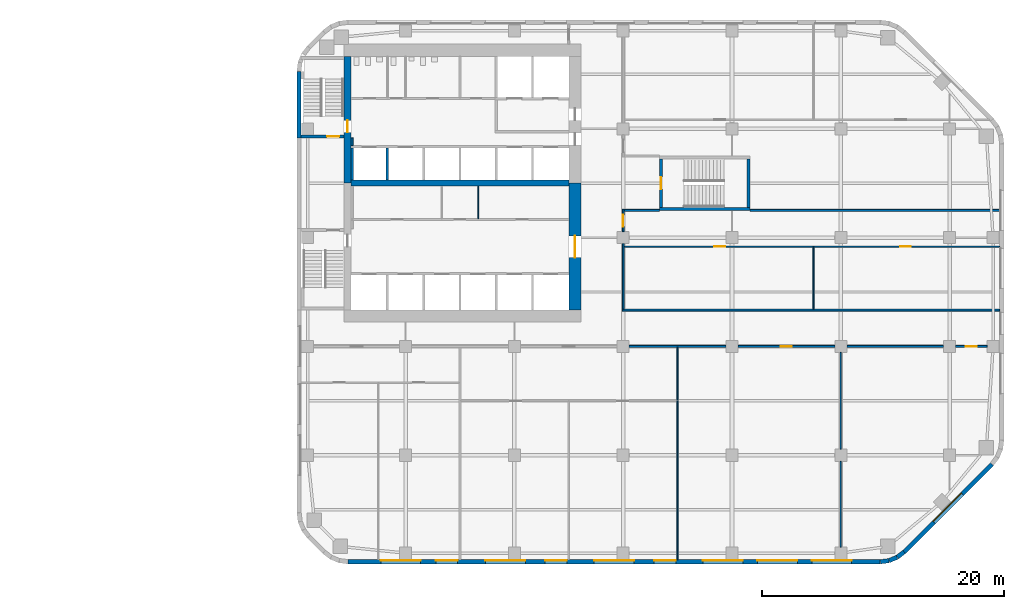
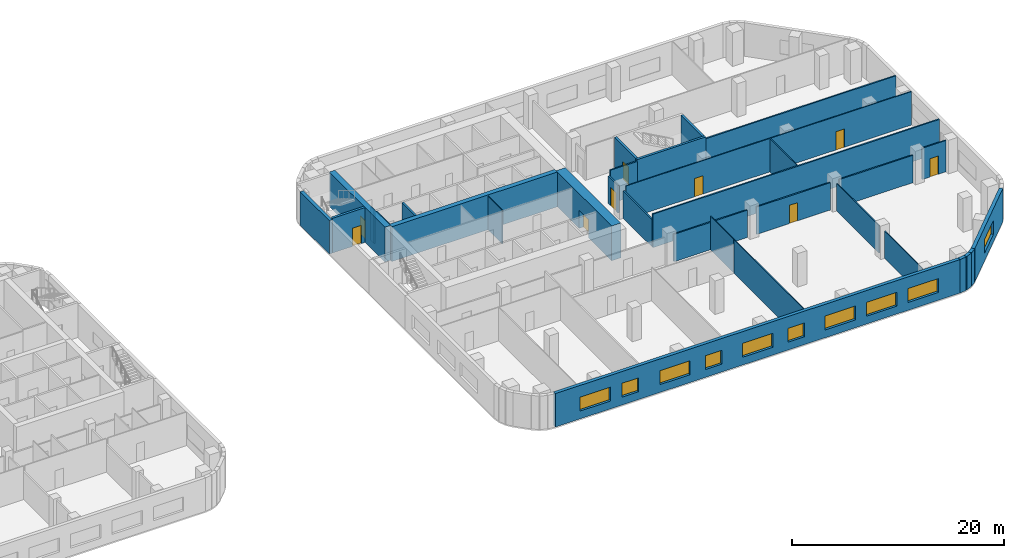
# One storey, part 10 of 16: 32 walls, 10 windows, 9 doors, 19 openings.
"""IFC4 building model written with IfcOpenShell, lengths in metres."""

import ifcopenshell
import ifcopenshell.guid

model = None  # the IFC model being written
_history = None  # IfcOwnerHistory: only IFC2X3 demands one
_inside = {}  # id of a spatial element -> (the spatial element, [elements in it])
_under = {}  # id of a project, library or spatial element -> (it, [spatial elements below it])
_declared = {}  # id of a project -> (the project, [libraries it declares])
_typed = {}  # id of a type object -> (the type object, [elements of that type])
_made_of = {}  # id of a material, layer set ... -> (it, [elements and type objects made of it])


def new_model(schema):
    """Start an empty IFC model of exactly this schema.

    Asked for "IFC4X3", IfcOpenShell would pick the latest addendum, in which some entities
    have other attributes; the version numbers below select the first issue.
    IFC2X3 requires an IfcOwnerHistory on every rooted entity: one is made here for all.
    """
    global model, _history
    if schema == "IFC4X3":
        model = ifcopenshell.file(schema_version=(4, 3, 0, 0))
    else:
        model = ifcopenshell.file(schema=schema)
    _inside.clear()
    _under.clear()
    _declared.clear()
    _typed.clear()
    _made_of.clear()
    _history = None
    if model.schema == "IFC2X3":
        org = make("IfcOrganization", Name="unknown")
        user = make(
            "IfcPersonAndOrganization",
            ThePerson=make("IfcPerson", FamilyName="unknown"),
            TheOrganization=org,
        )
        app = make(
            "IfcApplication",
            ApplicationDeveloper=org,
            Version="unknown",
            ApplicationFullName="unknown",
            ApplicationIdentifier="unknown",
        )
        _history = make(
            "IfcOwnerHistory",
            OwningUser=user,
            OwningApplication=app,
            ChangeAction="ADDED",
            CreationDate=0,
        )
    return model


def make(cls, **values):
    """One entity of the class cls with the attributes given. An attribute that is None is left unset."""
    return model.create_entity(
        cls, **{name: value for name, value in values.items() if value is not None}
    )


def rooted(cls, **values):
    """An entity with a GlobalId (a new one), such as an element, a storey or a relation."""
    return make(cls, GlobalId=ifcopenshell.guid.new(), OwnerHistory=_history, **values)


def si_unit(unit_type, name, prefix=None):
    """IfcSIUnit, for example si_unit("LENGTHUNIT", "METRE", prefix="MILLI")."""
    return make("IfcSIUnit", UnitType=unit_type, Prefix=prefix, Name=name)


def assignment(units):
    """IfcUnitAssignment: the units of a project."""
    return None if units is None else make("IfcUnitAssignment", Units=units)


def point(xyz):
    """IfcCartesianPoint."""
    return None if xyz is None else make("IfcCartesianPoint", Coordinates=xyz)


def direction(xyz):
    """IfcDirection."""
    return None if xyz is None else make("IfcDirection", DirectionRatios=xyz)


def frame(location, z_axis=None, x_axis=None):
    """IfcAxis2Placement3D, a coordinate frame: its origin and axes. An axis left out is left unset."""
    return make(
        "IfcAxis2Placement3D",
        Location=point(location),
        Axis=direction(z_axis),
        RefDirection=direction(x_axis),
    )


def frame_2d(location, x_axis=None):
    """IfcAxis2Placement2D, a coordinate frame in the plane: its origin and x axis."""
    return make(
        "IfcAxis2Placement2D", Location=point(location), RefDirection=direction(x_axis)
    )


def origin():
    """The frame at (0, 0, 0) with its axes left unset."""
    return frame((0.0, 0.0, 0.0))


def place(relative_to, where):
    """IfcLocalPlacement: puts the frame where relative to a parent placement (None: the world)."""
    return make(
        "IfcLocalPlacement", PlacementRelTo=relative_to, RelativePlacement=where
    )


def context(
    kind, dimensions, precision=None, world=None, true_north=None, identifier=None
):
    """IfcGeometricRepresentationContext, for example the 3D "Model" context."""
    return make(
        "IfcGeometricRepresentationContext",
        ContextIdentifier=identifier,
        ContextType=kind,
        CoordinateSpaceDimension=dimensions,
        Precision=precision,
        WorldCoordinateSystem=world,
        TrueNorth=true_north,
    )


def subcontext(parent, identifier, kind, view, scale=None):
    """IfcGeometricRepresentationSubContext, for example "Body" below "Model"."""
    return make(
        "IfcGeometricRepresentationSubContext",
        ContextIdentifier=identifier,
        ContextType=kind,
        ParentContext=parent,
        TargetScale=scale,
        TargetView=view,
    )


def project(units=None, contexts=None):
    """IfcProject with its units and contexts."""
    return rooted(
        "IfcProject",
        Name="project",
        RepresentationContexts=contexts,
        UnitsInContext=assignment(units),
    )


def spatial(cls, under=None, at=None, **own):
    """A site, building, storey or space (cls), placed at a placement, below another one or the project."""
    s = rooted(cls, ObjectPlacement=at, **own)
    if under is not None:
        _under.setdefault(under.id(), (under, []))[1].append(s)
    return s


def profile(cls, at=None, kind="AREA", **sizes):
    """A parametric profile (cls). Its sizes go by their IFC names, for example OverallWidth=200.0."""
    return make(cls, ProfileType=kind, Position=at, **sizes)


def rectangle(**sizes):
    """IfcRectangleProfileDef."""
    return profile("IfcRectangleProfileDef", **sizes)


def extrude(swept, where, along, depth):
    """IfcExtrudedAreaSolid: the profile swept, set in the frame where, extruded along a direction by depth."""
    return make(
        "IfcExtrudedAreaSolid",
        SweptArea=swept,
        Position=where,
        ExtrudedDirection=direction(along),
        Depth=depth,
    )


def shape(context_of_items, identifier, shape_type, items):
    """IfcShapeRepresentation: the items that make up one representation, for example the "Body"."""
    return make(
        "IfcShapeRepresentation",
        ContextOfItems=context_of_items,
        RepresentationIdentifier=identifier,
        RepresentationType=shape_type,
        Items=items,
    )


def material(Name=None, Category=None):
    """IfcMaterial."""
    return make("IfcMaterial", Name=Name, Category=Category)


def layer(
    of_material, thickness, ventilated=None, Name=None, Category=None, Priority=None
):
    """IfcMaterialLayer: one layer of a wall or slab, of a material (None: an air gap)."""
    return make(
        "IfcMaterialLayer",
        Material=of_material,
        LayerThickness=thickness,
        IsVentilated=ventilated,
        Name=Name,
        Category=Category,
        Priority=Priority,
    )


def layer_set(layers, Name=None):
    """IfcMaterialLayerSet."""
    return make("IfcMaterialLayerSet", MaterialLayers=layers, LayerSetName=Name)


def made_of(thing, what):
    """Note that an element or type object is made of a material, layer set ...; save() writes the relation."""
    if what is not None:
        _made_of.setdefault(what.id(), (what, []))[1].append(thing)
    return thing


def type_object(cls, material=None, **own):
    """A type object (cls), such as IfcWallType, which elements share."""
    return made_of(rooted(cls, **own), material)


def element(
    cls,
    number,
    at=None,
    inside=None,
    cuts=None,
    type_object=None,
    material=None,
    context=None,
    identifier="Body",
    shape_type=None,
    held_by="IfcProductDefinitionShape",
    body=None,
    shapes=None,
    **own,
):
    """One element of the class cls, such as IfcWall. Its Tag is "e" and its number.

    at: its placement. inside: the storey or other place that contains it. cuts: it is an
    opening in that element (IfcRelVoidsElement). A single representation is given by context,
    identifier, shape_type and body (its items); several are given by shapes. held_by: the class
    of the entity that holds the representations. save() writes the other relations.
    """
    e = rooted(cls, Tag="e%d" % number, ObjectPlacement=at, **own)
    if body is not None:
        shapes = [shape(context, identifier, shape_type, body)]
    if shapes is not None:
        e.Representation = make(held_by, Representations=shapes)
    if inside is not None:
        _inside.setdefault(inside.id(), (inside, []))[1].append(e)
    if cuts is not None:
        rooted(
            "IfcRelVoidsElement", RelatingBuildingElement=cuts, RelatedOpeningElement=e
        )
    if type_object is not None:
        _typed.setdefault(type_object.id(), (type_object, []))[1].append(e)
    return made_of(e, material)


def fill(opening, filler):
    """IfcRelFillsElement: the door or window that sits in an opening."""
    return rooted(
        "IfcRelFillsElement",
        RelatingOpeningElement=opening,
        RelatedBuildingElement=filler,
    )


def aggregate(whole, parts):
    """IfcRelAggregates: a whole, such as a stair, and the parts it consists of."""
    return rooted("IfcRelAggregates", RelatingObject=whole, RelatedObjects=parts)


def save(model, path):
    """Write the relations noted so far, then the file.

    IfcRelAggregates (storeys below a building ...), IfcRelContainedInSpatialStructure (elements
    in a storey), IfcRelDefinesByType, IfcRelAssociatesMaterial and IfcRelDeclares: one each for
    every whole, place, type object, material and project.
    """
    for whole, parts in _under.values():
        aggregate(whole, parts)
    for where, things in _inside.values():
        rooted(
            "IfcRelContainedInSpatialStructure",
            RelatedElements=things,
            RelatingStructure=where,
        )
    for kind, things in _typed.values():
        rooted("IfcRelDefinesByType", RelatedObjects=things, RelatingType=kind)
    for what, things in _made_of.values():
        rooted("IfcRelAssociatesMaterial", RelatedObjects=things, RelatingMaterial=what)
    for by, libraries in _declared.values():
        rooted("IfcRelDeclares", RelatingContext=by, RelatedDefinitions=libraries)
    model.write(path)


model = new_model("IFC4")

# Units and contexts
model_context = context("Model", 3, precision=1e-05, world=origin(), true_north=direction((0.0, 1.0)))
body_context = subcontext(model_context, "Body", "Model", "MODEL_VIEW")
ifc_project = project(units=[si_unit("LENGTHUNIT", "METRE"), si_unit("AREAUNIT", "SQUARE_METRE"), si_unit("VOLUMEUNIT", "CUBIC_METRE"), si_unit("PLANEANGLEUNIT", "RADIAN"), si_unit("MASSUNIT", "GRAM", prefix="KILO")], contexts=[model_context])

# Site, building, storey
site_placement = place(None, origin())
site = spatial("IfcSite", under=ifc_project, at=site_placement, CompositionType="ELEMENT")
building_placement = place(site_placement, origin())
building = spatial("IfcBuilding", under=site, at=building_placement, Name="Cinnabar Reach Civic Tower", CompositionType="ELEMENT")
storey_placement = place(building_placement, frame((0.0, 0.0, 30.0)))
storey = spatial("IfcBuildingStorey", under=building, at=storey_placement, Name="L06", CompositionType="ELEMENT", Elevation=30.0)

# Walls
ifc_material_1 = material(Name="Facing brick with insulated backing", Category="masonry")
ifc_layer_1 = layer(ifc_material_1, 0.36)
ifc_layer_set_1 = layer_set([ifc_layer_1], Name="Brick corner wall")
wall_type_1 = type_object("IfcWallType", Name="Brick corner wall", PredefinedType="STANDARD", material=ifc_layer_set_1)
for number, where, z_axis, x_axis, name in (
    (1, (48.2686, 0.183, 0.0), (0.0, 0.0, 1.0), (0.99144092581, 0.13055608231, 0.0), "Brick corner wall"),
    (2, (48.9973, 0.2819, 0.0), (0.0, 0.0, 1.0), (0.923871547278, 0.382702709855, 0.0), "Brick corner wall"),
):
    element("IfcWall", number, at=place(storey_placement, frame(where, z_axis=z_axis, x_axis=x_axis)), inside=storey, type_object=wall_type_1, Name=name, PredefinedType="STANDARD", context=body_context, shape_type="SweptSolid", body=[
        extrude(rectangle(XDim=0.7131, YDim=0.36, at=frame_2d((0.3565, 0.0))), origin(), (0.0, 0.0, 1.0), 3.85),
    ])
wall_1_placement = place(storey_placement, frame((49.6755, 0.566, 0.0), z_axis=(0.0, 0.0, 1.0), x_axis=(0.793321924995, 0.608802368033, 0.0)))
element("IfcWall", 3, at=wall_1_placement, inside=storey, type_object=wall_type_1, Name="Brick corner wall", PredefinedType="STANDARD", context=body_context, shape_type="SweptSolid", body=[
    extrude(rectangle(XDim=0.7132, YDim=0.36, at=frame_2d((0.3566, 0.0))), origin(), (0.0, 0.0, 1.0), 3.85),
])

# Wall, openings, windows
ifc_layer_2 = layer(ifc_material_1, 0.36)
ifc_layer_set_2 = layer_set([ifc_layer_2], Name="Brick pier and spandrel wall")
wall_type_2 = type_object("IfcWallType", Name="Brick pier and spandrel wall", PredefinedType="STANDARD", material=ifc_layer_set_2)
wall_2_placement = place(storey_placement, frame((4.2426, 0.18, 0.0), z_axis=(0.0, 0.0, 1.0), x_axis=(1.0, 0.0, 0.0)))
wall_2 = element("IfcWall", 4, at=wall_2_placement, inside=storey, type_object=wall_type_2, Name="Brick facade wall", PredefinedType="STANDARD", context=body_context, shape_type="SweptSolid", body=[
    extrude(rectangle(XDim=44.0148, YDim=0.36, at=frame_2d((22.0074, 0.0))), origin(), (0.0, 0.0, 1.0), 3.85),
])
opening_1_placement = place(wall_2_placement, frame((2.7074, 0.0, 0.9)))
opening_1 = element("IfcOpeningElement", 5, at=opening_1_placement, cuts=wall_2, Name="Opening W1024", PredefinedType="OPENING", context=body_context, shape_type="SweptSolid", body=[
    extrude(rectangle(XDim=3.3, YDim=1.6, at=frame_2d((1.65, 0.8))), frame((0.0, 0.19, 0.0), z_axis=(0.0, -1.0, 0.0), x_axis=(1.0, 0.0, 0.0)), (0.0, 0.0, 1.0), 0.38),
])
opening_2_placement = place(wall_2_placement, frame((7.2574, 0.0, 0.9)))
opening_2 = element("IfcOpeningElement", 6, at=opening_2_placement, cuts=wall_2, Name="Opening W1025", PredefinedType="OPENING", context=body_context, shape_type="SweptSolid", body=[
    extrude(rectangle(XDim=1.8, YDim=1.6, at=frame_2d((0.9, 0.8))), frame((0.0, 0.19, 0.0), z_axis=(0.0, -1.0, 0.0), x_axis=(1.0, 0.0, 0.0)), (0.0, 0.0, 1.0), 0.38),
])
opening_3_placement = place(wall_2_placement, frame((11.3574, 0.0, 0.9)))
opening_3 = element("IfcOpeningElement", 7, at=opening_3_placement, cuts=wall_2, Name="Opening W1026", PredefinedType="OPENING", context=body_context, shape_type="SweptSolid", body=[
    extrude(rectangle(XDim=3.3, YDim=1.6, at=frame_2d((1.65, 0.8))), frame((0.0, 0.19, 0.0), z_axis=(0.0, -1.0, 0.0), x_axis=(1.0, 0.0, 0.0)), (0.0, 0.0, 1.0), 0.38),
])
opening_4_placement = place(wall_2_placement, frame((16.3074, 0.0, 0.9)))
opening_4 = element("IfcOpeningElement", 8, at=opening_4_placement, cuts=wall_2, Name="Opening W1027", PredefinedType="OPENING", context=body_context, shape_type="SweptSolid", body=[
    extrude(rectangle(XDim=1.8, YDim=1.6, at=frame_2d((0.9, 0.8))), frame((0.0, 0.19, 0.0), z_axis=(0.0, -1.0, 0.0), x_axis=(1.0, 0.0, 0.0)), (0.0, 0.0, 1.0), 0.38),
])
opening_5_placement = place(wall_2_placement, frame((20.3574, 0.0, 0.9)))
opening_5 = element("IfcOpeningElement", 9, at=opening_5_placement, cuts=wall_2, Name="Opening W1028", PredefinedType="OPENING", context=body_context, shape_type="SweptSolid", body=[
    extrude(rectangle(XDim=3.3, YDim=1.6, at=frame_2d((1.65, 0.8))), frame((0.0, 0.19, 0.0), z_axis=(0.0, -1.0, 0.0), x_axis=(1.0, 0.0, 0.0)), (0.0, 0.0, 1.0), 0.38),
])
opening_6_placement = place(wall_2_placement, frame((25.3074, 0.0, 0.9)))
opening_6 = element("IfcOpeningElement", 10, at=opening_6_placement, cuts=wall_2, Name="Opening W1029", PredefinedType="OPENING", context=body_context, shape_type="SweptSolid", body=[
    extrude(rectangle(XDim=1.8, YDim=1.6, at=frame_2d((0.9, 0.8))), frame((0.0, 0.19, 0.0), z_axis=(0.0, -1.0, 0.0), x_axis=(1.0, 0.0, 0.0)), (0.0, 0.0, 1.0), 0.38),
])
opening_7_placement = place(wall_2_placement, frame((29.3574, 0.0, 0.9)))
opening_7 = element("IfcOpeningElement", 11, at=opening_7_placement, cuts=wall_2, Name="Opening W1030", PredefinedType="OPENING", context=body_context, shape_type="SweptSolid", body=[
    extrude(rectangle(XDim=3.3, YDim=1.6, at=frame_2d((1.65, 0.8))), frame((0.0, 0.19, 0.0), z_axis=(0.0, -1.0, 0.0), x_axis=(1.0, 0.0, 0.0)), (0.0, 0.0, 1.0), 0.38),
])
opening_8_placement = place(wall_2_placement, frame((33.8574, 0.0, 0.9)))
opening_8 = element("IfcOpeningElement", 12, at=opening_8_placement, cuts=wall_2, Name="Opening W1031", PredefinedType="OPENING", context=body_context, shape_type="SweptSolid", body=[
    extrude(rectangle(XDim=3.3, YDim=1.6, at=frame_2d((1.65, 0.8))), frame((0.0, 0.19, 0.0), z_axis=(0.0, -1.0, 0.0), x_axis=(1.0, 0.0, 0.0)), (0.0, 0.0, 1.0), 0.38),
])
opening_9_placement = place(wall_2_placement, frame((38.3574, 0.0, 0.9)))
opening_9 = element("IfcOpeningElement", 13, at=opening_9_placement, cuts=wall_2, Name="Opening W1032", PredefinedType="OPENING", context=body_context, shape_type="SweptSolid", body=[
    extrude(rectangle(XDim=3.3, YDim=1.6, at=frame_2d((1.65, 0.8))), frame((0.0, 0.19, 0.0), z_axis=(0.0, -1.0, 0.0), x_axis=(1.0, 0.0, 0.0)), (0.0, 0.0, 1.0), 0.38),
])
ifc_material_2 = material(Name="Clear double glazing in aluminium frame", Category="aluminium")
window_type_1 = type_object("IfcWindowType", Name="Deep-set window A", PartitioningType="SINGLE_PANEL", PredefinedType="WINDOW", material=ifc_material_2)
window_1_placement = place(opening_1_placement, origin())
window_1 = element("IfcWindow", 14, at=window_1_placement, inside=storey, type_object=window_type_1, Name="Window south face", OverallHeight=1.6, OverallWidth=3.3, PartitioningType="SINGLE_PANEL", PredefinedType="WINDOW", context=body_context, shape_type="SweptSolid", body=[
    extrude(rectangle(XDim=3.3, YDim=1.6, at=frame_2d((1.65, 0.8))), frame((0.0, 0.13, 0.0), z_axis=(0.0, -1.0, 0.0), x_axis=(1.0, 0.0, 0.0)), (0.0, 0.0, 1.0), 0.06),
])
fill(opening_1, window_1)
window_2_placement = place(opening_3_placement, origin())
window_2 = element("IfcWindow", 15, at=window_2_placement, inside=storey, type_object=window_type_1, Name="Window south face", OverallHeight=1.6, OverallWidth=3.3, PartitioningType="SINGLE_PANEL", PredefinedType="WINDOW", context=body_context, shape_type="SweptSolid", body=[
    extrude(rectangle(XDim=3.3, YDim=1.6, at=frame_2d((1.65, 0.8))), frame((0.0, 0.13, 0.0), z_axis=(0.0, -1.0, 0.0), x_axis=(1.0, 0.0, 0.0)), (0.0, 0.0, 1.0), 0.06),
])
fill(opening_3, window_2)
window_3_placement = place(opening_5_placement, origin())
window_3 = element("IfcWindow", 16, at=window_3_placement, inside=storey, type_object=window_type_1, Name="Window south face", OverallHeight=1.6, OverallWidth=3.3, PartitioningType="SINGLE_PANEL", PredefinedType="WINDOW", context=body_context, shape_type="SweptSolid", body=[
    extrude(rectangle(XDim=3.3, YDim=1.6, at=frame_2d((1.65, 0.8))), frame((0.0, 0.13, 0.0), z_axis=(0.0, -1.0, 0.0), x_axis=(1.0, 0.0, 0.0)), (0.0, 0.0, 1.0), 0.06),
])
fill(opening_5, window_3)
window_4_placement = place(opening_7_placement, origin())
window_4 = element("IfcWindow", 17, at=window_4_placement, inside=storey, type_object=window_type_1, Name="Window south face", OverallHeight=1.6, OverallWidth=3.3, PartitioningType="SINGLE_PANEL", PredefinedType="WINDOW", context=body_context, shape_type="SweptSolid", body=[
    extrude(rectangle(XDim=3.3, YDim=1.6, at=frame_2d((1.65, 0.8))), frame((0.0, 0.13, 0.0), z_axis=(0.0, -1.0, 0.0), x_axis=(1.0, 0.0, 0.0)), (0.0, 0.0, 1.0), 0.06),
])
fill(opening_7, window_4)
window_5_placement = place(opening_8_placement, origin())
window_5 = element("IfcWindow", 18, at=window_5_placement, inside=storey, type_object=window_type_1, Name="Window south face", OverallHeight=1.6, OverallWidth=3.3, PartitioningType="SINGLE_PANEL", PredefinedType="WINDOW", context=body_context, shape_type="SweptSolid", body=[
    extrude(rectangle(XDim=3.3, YDim=1.6, at=frame_2d((1.65, 0.8))), frame((0.0, 0.13, 0.0), z_axis=(0.0, -1.0, 0.0), x_axis=(1.0, 0.0, 0.0)), (0.0, 0.0, 1.0), 0.06),
])
fill(opening_8, window_5)
window_6_placement = place(opening_9_placement, origin())
window_6 = element("IfcWindow", 19, at=window_6_placement, inside=storey, type_object=window_type_1, Name="Window south face", OverallHeight=1.6, OverallWidth=3.3, PartitioningType="SINGLE_PANEL", PredefinedType="WINDOW", context=body_context, shape_type="SweptSolid", body=[
    extrude(rectangle(XDim=3.3, YDim=1.6, at=frame_2d((1.65, 0.8))), frame((0.0, 0.13, 0.0), z_axis=(0.0, -1.0, 0.0), x_axis=(1.0, 0.0, 0.0)), (0.0, 0.0, 1.0), 0.06),
])
fill(opening_9, window_6)
window_type_2 = type_object("IfcWindowType", Name="Deep-set window D", PartitioningType="SINGLE_PANEL", PredefinedType="WINDOW", material=ifc_material_2)
window_7_placement = place(opening_2_placement, origin())
window_7 = element("IfcWindow", 20, at=window_7_placement, inside=storey, type_object=window_type_2, Name="Window south face", OverallHeight=1.6, OverallWidth=1.8, PartitioningType="SINGLE_PANEL", PredefinedType="WINDOW", context=body_context, shape_type="SweptSolid", body=[
    extrude(rectangle(XDim=1.8, YDim=1.6, at=frame_2d((0.9, 0.8))), frame((0.0, 0.13, 0.0), z_axis=(0.0, -1.0, 0.0), x_axis=(1.0, 0.0, 0.0)), (0.0, 0.0, 1.0), 0.06),
])
fill(opening_2, window_7)
window_8_placement = place(opening_4_placement, origin())
window_8 = element("IfcWindow", 21, at=window_8_placement, inside=storey, type_object=window_type_2, Name="Window south face", OverallHeight=1.6, OverallWidth=1.8, PartitioningType="SINGLE_PANEL", PredefinedType="WINDOW", context=body_context, shape_type="SweptSolid", body=[
    extrude(rectangle(XDim=1.8, YDim=1.6, at=frame_2d((0.9, 0.8))), frame((0.0, 0.13, 0.0), z_axis=(0.0, -1.0, 0.0), x_axis=(1.0, 0.0, 0.0)), (0.0, 0.0, 1.0), 0.06),
])
fill(opening_4, window_8)
window_9_placement = place(opening_6_placement, origin())
window_9 = element("IfcWindow", 22, at=window_9_placement, inside=storey, type_object=window_type_2, Name="Window south face", OverallHeight=1.6, OverallWidth=1.8, PartitioningType="SINGLE_PANEL", PredefinedType="WINDOW", context=body_context, shape_type="SweptSolid", body=[
    extrude(rectangle(XDim=1.8, YDim=1.6, at=frame_2d((0.9, 0.8))), frame((0.0, 0.13, 0.0), z_axis=(0.0, -1.0, 0.0), x_axis=(1.0, 0.0, 0.0)), (0.0, 0.0, 1.0), 0.06),
])
fill(opening_6, window_9)

# Wall, opening, window
wall_3_placement = place(storey_placement, frame((50.2514, 1.006, 0.0), z_axis=(0.0, 0.0, 1.0), x_axis=(0.707106781187, 0.707106781187, 0.0)))
wall_3 = element("IfcWall", 23, at=wall_3_placement, inside=storey, type_object=wall_type_2, Name="Brick facade wall", PredefinedType="STANDARD", context=body_context, shape_type="SweptSolid", body=[
    extrude(rectangle(XDim=10.2426, YDim=0.36, at=frame_2d((5.1213, 0.0))), origin(), (0.0, 0.0, 1.0), 3.85),
])
opening_10_placement = place(wall_3_placement, frame((3.4713, 0.0, 0.9)))
opening_10 = element("IfcOpeningElement", 24, at=opening_10_placement, cuts=wall_3, Name="Opening W1033", PredefinedType="OPENING", context=body_context, shape_type="SweptSolid", body=[
    extrude(rectangle(XDim=3.3, YDim=1.6, at=frame_2d((1.65, 0.8))), frame((0.0, 0.19, 0.0), z_axis=(0.0, -1.0, 0.0), x_axis=(1.0, 0.0, 0.0)), (0.0, 0.0, 1.0), 0.38),
])
window_10_placement = place(opening_10_placement, origin())
window_10 = element("IfcWindow", 25, at=window_10_placement, inside=storey, type_object=window_type_1, Name="Window southeast face", OverallHeight=1.6, OverallWidth=3.3, PartitioningType="SINGLE_PANEL", PredefinedType="WINDOW", context=body_context, shape_type="SweptSolid", body=[
    extrude(rectangle(XDim=3.3, YDim=1.6, at=frame_2d((1.65, 0.8))), frame((0.0, 0.13, 0.0), z_axis=(0.0, -1.0, 0.0), x_axis=(1.0, 0.0, 0.0)), (0.0, 0.0, 1.0), 0.06),
])
fill(opening_10, window_10)

# Wall
wall_4_placement = place(storey_placement, frame((0.18, 40.7574, 0.0), z_axis=(0.0, 0.0, 1.0), x_axis=(0.0, -1.0, 0.0)))
element("IfcWall", 26, at=wall_4_placement, inside=storey, type_object=wall_type_2, Name="Brick facade wall", PredefinedType="STANDARD", context=body_context, shape_type="SweptSolid", body=[
    extrude(rectangle(XDim=5.5074, YDim=0.36, at=frame_2d((2.7537, 0.0))), origin(), (0.0, 0.0, 1.0), 3.85),
])

# Wall, opening, door
ifc_material_3 = material(Name="Concrete C70", Category="concrete")
ifc_layer_3 = layer(ifc_material_3, 1.0)
ifc_layer_set_3 = layer_set([ifc_layer_3], Name="Core wall 1000 EI 180")
wall_type_3 = type_object("IfcWallType", Name="Core wall 1000 EI 180", PredefinedType="SOLIDWALL", material=ifc_layer_set_3)
wall_5_placement = place(storey_placement, frame((23.0, 21.0, 0.0), z_axis=(0.0, 0.0, 1.0), x_axis=(0.0, 1.0, 0.0)))
wall_5 = element("IfcWall", 27, at=wall_5_placement, inside=storey, type_object=wall_type_3, Name="Core wall T1 L06 E", PredefinedType="SOLIDWALL", context=body_context, shape_type="SweptSolid", body=[
    extrude(rectangle(XDim=10.5, YDim=1.0, at=frame_2d((5.25, 0.0))), origin(), (0.0, 0.0, 1.0), 4.0),
])
opening_11_placement = place(wall_5_placement, frame((4.35, 0.0, 0.0)))
opening_11 = element("IfcOpeningElement", 28, at=opening_11_placement, cuts=wall_5, Name="Opening D3247", PredefinedType="OPENING", context=body_context, shape_type="SweptSolid", body=[
    extrude(rectangle(XDim=1.8, YDim=2.1, at=frame_2d((0.9, 1.05))), frame((0.0, 0.51, 0.0), z_axis=(0.0, -1.0, 0.0), x_axis=(1.0, 0.0, 0.0)), (0.0, 0.0, 1.0), 1.02),
])
ifc_material_4 = material(Name="Timber door leaf in steel frame", Category="steel")
door_type_1 = type_object("IfcDoorType", Name="Double swing door 1800 x 2100 T1", OperationType="DOUBLE_DOOR_DOUBLE_SWING", PredefinedType="DOOR", material=ifc_material_4)
door_1_placement = place(opening_11_placement, origin())
door_1 = element("IfcDoor", 29, at=door_1_placement, inside=storey, type_object=door_type_1, Name="Door D3247", OperationType="DOUBLE_DOOR_DOUBLE_SWING", OverallHeight=2.1, OverallWidth=1.8, PredefinedType="DOOR", context=body_context, shape_type="SweptSolid", body=[
    extrude(rectangle(XDim=1.8, YDim=2.1, at=frame_2d((0.9, 1.05))), frame((0.0, 0.025, 0.0), z_axis=(0.0, -1.0, 0.0), x_axis=(1.0, 0.0, 0.0)), (0.0, 0.0, 1.0), 0.05),
])
fill(opening_11, door_1)

# Wall
ifc_material_5 = material(Name="Concrete C60", Category="concrete")
ifc_layer_4 = layer(ifc_material_5, 0.5)
ifc_layer_set_4 = layer_set([ifc_layer_4], Name="Core wall 500 EI 180")
wall_type_4 = type_object("IfcWallType", Name="Core wall 500 EI 180", PredefinedType="SOLIDWALL", material=ifc_layer_set_4)
wall_6_placement = place(storey_placement, frame((4.5, 31.5, 0.0), z_axis=(0.0, 0.0, 1.0), x_axis=(1.0, 0.0, 0.0)))
element("IfcWall", 30, at=wall_6_placement, inside=storey, type_object=wall_type_4, Name="Core spine wall T1 L06", PredefinedType="SOLIDWALL", context=body_context, shape_type="SweptSolid", body=[
    extrude(rectangle(XDim=18.0, YDim=0.5, at=frame_2d((9.0, 0.0))), origin(), (0.0, 0.0, 1.0), 4.0),
])

# Wall, opening, door
ifc_layer_5 = layer(ifc_material_3, 0.6)
ifc_layer_set_5 = layer_set([ifc_layer_5], Name="Core wall 600 EI 180")
wall_type_5 = type_object("IfcWallType", Name="Core wall 600 EI 180", PredefinedType="SOLIDWALL", material=ifc_layer_set_5)
wall_7_placement = place(storey_placement, frame((4.2, 42.0, 0.0), z_axis=(0.0, 0.0, 1.0), x_axis=(0.0, -1.0, 0.0)))
wall_7 = element("IfcWall", 31, at=wall_7_placement, inside=storey, type_object=wall_type_5, Name="Core wall T1 L06 W", PredefinedType="SOLIDWALL", context=body_context, shape_type="SweptSolid", body=[
    extrude(rectangle(XDim=10.5, YDim=0.6, at=frame_2d((5.25, 0.0))), origin(), (0.0, 0.0, 1.0), 4.0),
])
opening_12_placement = place(wall_7_placement, frame((5.3, 0.0, 0.0)))
opening_12 = element("IfcOpeningElement", 32, at=opening_12_placement, cuts=wall_7, Name="Opening D3233", PredefinedType="OPENING", context=body_context, shape_type="SweptSolid", body=[
    extrude(rectangle(XDim=1.0, YDim=2.1, at=frame_2d((0.5, 1.05))), frame((0.0, 0.31, 0.0), z_axis=(0.0, -1.0, 0.0), x_axis=(1.0, 0.0, 0.0)), (0.0, 0.0, 1.0), 0.62),
])
door_type_2 = type_object("IfcDoorType", Name="Stair door 1000 x 2100 T1", OperationType="SINGLE_SWING_LEFT", PredefinedType="DOOR", material=ifc_material_4)
door_2_placement = place(opening_12_placement, frame((1.0, 0.0, 0.0), z_axis=(0.0, 0.0, 1.0), x_axis=(-1.0, 0.0, 0.0)))
door_2 = element("IfcDoor", 33, at=door_2_placement, inside=storey, type_object=door_type_2, Name="Door D3233", OperationType="SINGLE_SWING_LEFT", OverallHeight=2.1, OverallWidth=1.0, PredefinedType="DOOR", context=body_context, shape_type="SweptSolid", body=[
    extrude(rectangle(XDim=1.0, YDim=2.1, at=frame_2d((0.5, 1.05))), frame((0.0, 0.025, 0.0), z_axis=(0.0, -1.0, 0.0), x_axis=(1.0, 0.0, 0.0)), (0.0, 0.0, 1.0), 0.05),
])
fill(opening_12, door_2)

ifc_material_6 = material(Name="Gypsum board on steel studs, double layer", Category="steel")
ifc_layer_6 = layer(ifc_material_6, 0.15)
ifc_layer_set_6 = layer_set([ifc_layer_6], Name="Corridor wall 150 T1")
wall_type_6 = type_object("IfcWallType", Name="Corridor wall 150 T1", PredefinedType="PARTITIONING", material=ifc_layer_set_6)
wall_8_placement = place(storey_placement, frame((54.5, 18.0, 0.0), z_axis=(0.0, 0.0, 1.0), x_axis=(1.0, 0.0, 0.0)))
wall_8 = element("IfcWall", 34, at=wall_8_placement, inside=storey, type_object=wall_type_6, Name="Corridor wall 19", PredefinedType="PARTITIONING", context=body_context, shape_type="SweptSolid", body=[
    extrude(rectangle(XDim=2.6, YDim=0.15, at=frame_2d((1.3, 0.0))), origin(), (0.0, 0.0, 1.0), 3.602),
])
opening_13_placement = place(wall_8_placement, frame((0.85, 0.0, 0.0)))
opening_13 = element("IfcOpeningElement", 35, at=opening_13_placement, cuts=wall_8, Name="Opening D3271", PredefinedType="OPENING", context=body_context, shape_type="SweptSolid", body=[
    extrude(rectangle(XDim=0.9, YDim=2.1, at=frame_2d((0.45, 1.05))), frame((0.0, 0.085, 0.0), z_axis=(0.0, -1.0, 0.0), x_axis=(1.0, 0.0, 0.0)), (0.0, 0.0, 1.0), 0.17),
])
door_type_3 = type_object("IfcDoorType", Name="Single swing door 900 x 2100 corridor T1", OperationType="SINGLE_SWING_LEFT", PredefinedType="DOOR", material=ifc_material_4)
door_3_placement = place(opening_13_placement, frame((0.9, 0.0, 0.0), z_axis=(0.0, 0.0, 1.0), x_axis=(-1.0, 0.0, 0.0)))
door_3 = element("IfcDoor", 36, at=door_3_placement, inside=storey, type_object=door_type_3, Name="Door D3271", OperationType="SINGLE_SWING_LEFT", OverallHeight=2.1, OverallWidth=0.9, PredefinedType="DOOR", context=body_context, shape_type="SweptSolid", body=[
    extrude(rectangle(XDim=0.9, YDim=2.1, at=frame_2d((0.45, 1.05))), frame((0.0, 0.025, 0.0), z_axis=(0.0, -1.0, 0.0), x_axis=(1.0, 0.0, 0.0)), (0.0, 0.0, 1.0), 0.05),
])
fill(opening_13, door_3)

# Wall
wall_9_placement = place(storey_placement, frame((45.5, 18.0, 0.0), z_axis=(0.0, 0.0, 1.0), x_axis=(1.0, 0.0, 0.0)))
element("IfcWall", 37, at=wall_9_placement, inside=storey, type_object=wall_type_6, Name="Corridor wall 20", PredefinedType="PARTITIONING", context=body_context, shape_type="SweptSolid", body=[
    extrude(rectangle(XDim=8.0, YDim=0.15, at=frame_2d((4.0, 0.0))), origin(), (0.0, 0.0, 1.0), 3.15),
])

# Wall, opening, door
wall_10_placement = place(storey_placement, frame((36.5, 18.0, 0.0), z_axis=(0.0, 0.0, 1.0), x_axis=(1.0, 0.0, 0.0)))
wall_10 = element("IfcWall", 38, at=wall_10_placement, inside=storey, type_object=wall_type_6, Name="Corridor wall 21", PredefinedType="PARTITIONING", context=body_context, shape_type="SweptSolid", body=[
    extrude(rectangle(XDim=8.0, YDim=0.15, at=frame_2d((4.0, 0.0))), origin(), (0.0, 0.0, 1.0), 3.15),
])
opening_14_placement = place(wall_10_placement, frame((3.55, 0.0, 0.0)))
opening_14 = element("IfcOpeningElement", 39, at=opening_14_placement, cuts=wall_10, Name="Opening D3270", PredefinedType="OPENING", context=body_context, shape_type="SweptSolid", body=[
    extrude(rectangle(XDim=0.9, YDim=2.1, at=frame_2d((0.45, 1.05))), frame((0.0, 0.085, 0.0), z_axis=(0.0, -1.0, 0.0), x_axis=(1.0, 0.0, 0.0)), (0.0, 0.0, 1.0), 0.17),
])
door_4_placement = place(opening_14_placement, frame((0.9, 0.0, 0.0), z_axis=(0.0, 0.0, 1.0), x_axis=(-1.0, 0.0, 0.0)))
door_4 = element("IfcDoor", 40, at=door_4_placement, inside=storey, type_object=door_type_3, Name="Door D3270", OperationType="SINGLE_SWING_LEFT", OverallHeight=2.1, OverallWidth=0.9, PredefinedType="DOOR", context=body_context, shape_type="SweptSolid", body=[
    extrude(rectangle(XDim=0.9, YDim=2.1, at=frame_2d((0.45, 1.05))), frame((0.0, 0.025, 0.0), z_axis=(0.0, -1.0, 0.0), x_axis=(1.0, 0.0, 0.0)), (0.0, 0.0, 1.0), 0.05),
])
fill(opening_14, door_4)

# Walls
wall_11_placement = place(storey_placement, frame((27.5, 18.0, 0.0), z_axis=(0.0, 0.0, 1.0), x_axis=(1.0, 0.0, 0.0)))
element("IfcWall", 41, at=wall_11_placement, inside=storey, type_object=wall_type_6, Name="Corridor wall 22", PredefinedType="PARTITIONING", context=body_context, shape_type="SweptSolid", body=[
    extrude(rectangle(XDim=8.0, YDim=0.15, at=frame_2d((4.0, 0.0))), origin(), (0.0, 0.0, 1.0), 3.15),
])
wall_12_placement = place(storey_placement, frame((26.925, 21.0, 0.0), z_axis=(0.0, 0.0, 1.0), x_axis=(1.0, 0.0, 0.0)))
element("IfcWall", 42, at=wall_12_placement, inside=storey, type_object=wall_type_6, Name="Corridor wall 26", PredefinedType="PARTITIONING", context=body_context, shape_type="SweptSolid", body=[
    extrude(rectangle(XDim=31.215, YDim=0.15, at=frame_2d((15.6075, 0.0))), origin(), (0.0, 0.0, 1.0), 3.85),
])
wall_13_placement = place(storey_placement, frame((27.0, 21.075, 0.0), z_axis=(0.0, 0.0, 1.0), x_axis=(0.0, 1.0, 0.0)))
element("IfcWall", 43, at=wall_13_placement, inside=storey, type_object=wall_type_6, Name="Corridor wall 31", PredefinedType="PARTITIONING", context=body_context, shape_type="SweptSolid", body=[
    extrude(rectangle(XDim=5.425, YDim=0.15, at=frame_2d((2.7125, 0.0))), origin(), (0.0, 0.0, 1.0), 3.158),
])

# Wall, opening, door
wall_14_placement = place(storey_placement, frame((27.0, 27.5, 0.0), z_axis=(0.0, 0.0, 1.0), x_axis=(0.0, 1.0, 0.0)))
wall_14 = element("IfcWall", 44, at=wall_14_placement, inside=storey, type_object=wall_type_6, Name="Corridor wall 32", PredefinedType="PARTITIONING", context=body_context, shape_type="SweptSolid", body=[
    extrude(rectangle(XDim=1.825, YDim=0.15, at=frame_2d((0.9125, 0.0))), origin(), (0.0, 0.0, 1.0), 3.158),
])
opening_15_placement = place(wall_14_placement, frame((0.4, 0.0, 0.0)))
opening_15 = element("IfcOpeningElement", 45, at=opening_15_placement, cuts=wall_14, Name="Opening D3261", PredefinedType="OPENING", context=body_context, shape_type="SweptSolid", body=[
    extrude(rectangle(XDim=1.0, YDim=2.1, at=frame_2d((0.5, 1.05))), frame((0.0, 0.085, 0.0), z_axis=(0.0, -1.0, 0.0), x_axis=(1.0, 0.0, 0.0)), (0.0, 0.0, 1.0), 0.17),
])
door_type_4 = type_object("IfcDoorType", Name="Tenancy entrance door 1000 x 2100 T1", OperationType="SINGLE_SWING_LEFT", PredefinedType="DOOR", material=ifc_material_4)
door_5_placement = place(opening_15_placement, frame((1.0, 0.0, 0.0), z_axis=(0.0, 0.0, 1.0), x_axis=(-1.0, 0.0, 0.0)))
door_5 = element("IfcDoor", 46, at=door_5_placement, inside=storey, type_object=door_type_4, Name="Door D3261", OperationType="SINGLE_SWING_LEFT", OverallHeight=2.1, OverallWidth=1.0, PredefinedType="DOOR", context=body_context, shape_type="SweptSolid", body=[
    extrude(rectangle(XDim=1.0, YDim=2.1, at=frame_2d((0.5, 1.05))), frame((0.0, 0.025, 0.0), z_axis=(0.0, -1.0, 0.0), x_axis=(1.0, 0.0, 0.0)), (0.0, 0.0, 1.0), 0.05),
])
fill(opening_15, door_5)

# Walls
wall_15_placement = place(storey_placement, frame((27.075, 29.25, 0.0), z_axis=(0.0, 0.0, 1.0), x_axis=(1.0, 0.0, 0.0)))
element("IfcWall", 47, at=wall_15_placement, inside=storey, type_object=wall_type_6, Name="Corridor wall 35", PredefinedType="PARTITIONING", context=body_context, shape_type="SweptSolid", body=[
    extrude(rectangle(XDim=2.925, YDim=0.15, at=frame_2d((1.4625, 0.0))), origin(), (0.0, 0.0, 1.0), 3.85),
])
wall_16_placement = place(storey_placement, frame((4.575, 34.6, 0.0), z_axis=(0.0, 0.0, 1.0), x_axis=(0.0, 1.0, 0.0)))
element("IfcWall", 48, at=wall_16_placement, inside=storey, type_object=wall_type_6, Name="Corridor wall 38", PredefinedType="PARTITIONING", context=body_context, shape_type="SweptSolid", body=[
    extrude(rectangle(XDim=0.65, YDim=0.15, at=frame_2d((0.325, 0.0))), origin(), (0.0, 0.0, 1.0), 3.85),
])
ifc_material_7 = material(Name="Blockwork", Category="masonry")
ifc_layer_7 = layer(ifc_material_7, 0.2)
ifc_layer_set_7 = layer_set([ifc_layer_7], Name="Lift shaft wall 200 T1")
wall_type_7 = type_object("IfcWallType", Name="Lift shaft wall 200 T1", PredefinedType="PARTITIONING", material=ifc_layer_set_7)
for number, where, z_axis, x_axis, name in (
    (49, (4.6, 31.75, 0.0), (0.0, 0.0, 1.0), (0.0, 1.0, 0.0), "Lift shaft wall 8"),
    (50, (7.5, 31.75, 0.0), (0.0, 0.0, 1.0), (0.0, 1.0, 0.0), "Lift shaft wall 10"),
):
    element("IfcWall", number, at=place(storey_placement, frame(where, z_axis=z_axis, x_axis=x_axis)), inside=storey, type_object=wall_type_7, Name=name, PredefinedType="PARTITIONING", context=body_context, shape_type="SweptSolid", body=[
        extrude(rectangle(XDim=2.65, YDim=0.2, at=frame_2d((1.325, 0.0))), origin(), (0.0, 0.0, 1.0), 3.85),
    ])

# Wall, openings, doors
ifc_material_8 = material(Name="Gypsum board on steel studs", Category="steel")
ifc_layer_8 = layer(ifc_material_8, 0.1)
ifc_layer_set_8 = layer_set([ifc_layer_8], Name="Partition wall 100 T1")
wall_type_8 = type_object("IfcWallType", Name="Partition wall 100 T1", PredefinedType="PARTITIONING", material=ifc_layer_set_8)
wall_17_placement = place(storey_placement, frame((27.075, 26.25, 0.0), z_axis=(0.0, 0.0, 1.0), x_axis=(1.0, 0.0, 0.0)))
wall_17 = element("IfcWall", 51, at=wall_17_placement, inside=storey, type_object=wall_type_8, Name="Partition wall 42", PredefinedType="PARTITIONING", context=body_context, shape_type="SweptSolid", body=[
    extrude(rectangle(XDim=31.065, YDim=0.1, at=frame_2d((15.5325, 0.0))), origin(), (0.0, 0.0, 1.0), 3.85),
])
opening_16_placement = place(wall_17_placement, frame((7.45, 0.0, 0.0)))
opening_16 = element("IfcOpeningElement", 52, at=opening_16_placement, cuts=wall_17, Name="Opening D3262", PredefinedType="OPENING", context=body_context, shape_type="SweptSolid", body=[
    extrude(rectangle(XDim=0.9, YDim=2.1, at=frame_2d((0.45, 1.05))), frame((0.0, 0.06, 0.0), z_axis=(0.0, -1.0, 0.0), x_axis=(1.0, 0.0, 0.0)), (0.0, 0.0, 1.0), 0.12),
])
opening_17_placement = place(wall_17_placement, frame((22.825, 0.0, 0.0)))
opening_17 = element("IfcOpeningElement", 53, at=opening_17_placement, cuts=wall_17, Name="Opening D3263", PredefinedType="OPENING", context=body_context, shape_type="SweptSolid", body=[
    extrude(rectangle(XDim=0.9, YDim=2.1, at=frame_2d((0.45, 1.05))), frame((0.0, 0.06, 0.0), z_axis=(0.0, -1.0, 0.0), x_axis=(1.0, 0.0, 0.0)), (0.0, 0.0, 1.0), 0.12),
])
door_type_5 = type_object("IfcDoorType", Name="Single swing door 900 x 2100 T1", OperationType="SINGLE_SWING_LEFT", PredefinedType="DOOR", material=ifc_material_4)
door_6_placement = place(opening_16_placement, frame((0.9, 0.0, 0.0), z_axis=(0.0, 0.0, 1.0), x_axis=(-1.0, 0.0, 0.0)))
door_6 = element("IfcDoor", 54, at=door_6_placement, inside=storey, type_object=door_type_5, Name="Door D3262", OperationType="SINGLE_SWING_LEFT", OverallHeight=2.1, OverallWidth=0.9, PredefinedType="DOOR", context=body_context, shape_type="SweptSolid", body=[
    extrude(rectangle(XDim=0.9, YDim=2.1, at=frame_2d((0.45, 1.05))), frame((0.0, 0.025, 0.0), z_axis=(0.0, -1.0, 0.0), x_axis=(1.0, 0.0, 0.0)), (0.0, 0.0, 1.0), 0.05),
])
fill(opening_16, door_6)
door_7_placement = place(opening_17_placement, frame((0.9, 0.0, 0.0), z_axis=(0.0, 0.0, 1.0), x_axis=(-1.0, 0.0, 0.0)))
door_7 = element("IfcDoor", 55, at=door_7_placement, inside=storey, type_object=door_type_5, Name="Door D3263", OperationType="SINGLE_SWING_RIGHT", OverallHeight=2.1, OverallWidth=0.9, PredefinedType="DOOR", context=body_context, shape_type="SweptSolid", body=[
    extrude(rectangle(XDim=0.9, YDim=2.1, at=frame_2d((0.45, 1.05))), frame((0.0, 0.025, 0.0), z_axis=(0.0, -1.0, 0.0), x_axis=(1.0, 0.0, 0.0)), (0.0, 0.0, 1.0), 0.05),
])
fill(opening_17, door_7)

# Walls
wall_18_placement = place(storey_placement, frame((31.5, 13.55, 0.0), z_axis=(0.0, 0.0, 1.0), x_axis=(0.0, 1.0, 0.0)))
element("IfcWall", 56, at=wall_18_placement, inside=storey, type_object=wall_type_8, Name="Partition wall 45", PredefinedType="PARTITIONING", context=body_context, shape_type="SweptSolid", body=[
    extrude(rectangle(XDim=4.375, YDim=0.1, at=frame_2d((2.1875, 0.0))), origin(), (0.0, 0.0, 1.0), 3.85),
])
wall_19_placement = place(storey_placement, frame((31.5, 0.36, 0.0), z_axis=(0.0, 0.0, 1.0), x_axis=(0.0, 1.0, 0.0)))
element("IfcWall", 57, at=wall_19_placement, inside=storey, type_object=wall_type_8, Name="Partition wall 46", PredefinedType="PARTITIONING", context=body_context, shape_type="SweptSolid", body=[
    extrude(rectangle(XDim=13.09, YDim=0.1, at=frame_2d((6.545, 0.0))), origin(), (0.0, 0.0, 1.0), 3.85),
])
wall_20_placement = place(storey_placement, frame((45.0, 1.4, 0.0), z_axis=(0.0, 0.0, 1.0), x_axis=(0.0, 1.0, 0.0)))
element("IfcWall", 58, at=wall_20_placement, inside=storey, type_object=wall_type_8, Name="Partition wall 47", PredefinedType="PARTITIONING", context=body_context, shape_type="SweptSolid", body=[
    extrude(rectangle(XDim=7.1, YDim=0.1, at=frame_2d((3.55, 0.0))), origin(), (0.0, 0.0, 1.0), 3.158),
])
wall_21_placement = place(storey_placement, frame((45.0, 9.5, 0.0), z_axis=(0.0, 0.0, 1.0), x_axis=(0.0, 1.0, 0.0)))
element("IfcWall", 59, at=wall_21_placement, inside=storey, type_object=wall_type_8, Name="Partition wall 48", PredefinedType="PARTITIONING", context=body_context, shape_type="SweptSolid", body=[
    extrude(rectangle(XDim=8.0, YDim=0.1, at=frame_2d((4.0, 0.0))), origin(), (0.0, 0.0, 1.0), 3.158),
])
wall_22_placement = place(storey_placement, frame((42.75, 21.075, 0.0), z_axis=(0.0, 0.0, 1.0), x_axis=(0.0, 1.0, 0.0)))
element("IfcWall", 60, at=wall_22_placement, inside=storey, type_object=wall_type_8, Name="Partition wall 54", PredefinedType="PARTITIONING", context=body_context, shape_type="SweptSolid", body=[
    extrude(rectangle(XDim=5.125, YDim=0.1, at=frame_2d((2.5625, 0.0))), origin(), (0.0, 0.0, 1.0), 3.85),
])
wall_23_placement = place(storey_placement, frame((15.0, 28.575, 0.0), z_axis=(0.0, 0.0, 1.0), x_axis=(0.0, 1.0, 0.0)))
element("IfcWall", 61, at=wall_23_placement, inside=storey, type_object=wall_type_8, Name="Partition wall 58", PredefinedType="PARTITIONING", context=body_context, shape_type="SweptSolid", body=[
    extrude(rectangle(XDim=2.675, YDim=0.1, at=frame_2d((1.3375, 0.0))), origin(), (0.0, 0.0, 1.0), 3.85),
])

# Wall, opening, door
ifc_layer_9 = layer(ifc_material_5, 0.25)
ifc_layer_set_9 = layer_set([ifc_layer_9], Name="Stair shaft wall 250 EI 120")
wall_type_9 = type_object("IfcWallType", Name="Stair shaft wall 250 EI 120", PredefinedType="SOLIDWALL", material=ifc_layer_set_9)
wall_24_placement = place(storey_placement, frame((0.36, 35.375, 0.0), z_axis=(0.0, 0.0, 1.0), x_axis=(1.0, 0.0, 0.0)))
wall_24 = element("IfcWall", 62, at=wall_24_placement, inside=storey, type_object=wall_type_9, Name="Stair shaft wall T1-S2 L06", PredefinedType="SOLIDWALL", context=body_context, shape_type="SweptSolid", body=[
    extrude(rectangle(XDim=3.54, YDim=0.25, at=frame_2d((1.77, 0.0))), origin(), (0.0, 0.0, 1.0), 4.0),
])
opening_18_placement = place(wall_24_placement, frame((2.14, 0.0, 0.0)))
opening_18 = element("IfcOpeningElement", 63, at=opening_18_placement, cuts=wall_24, Name="Opening D3234", PredefinedType="OPENING", context=body_context, shape_type="SweptSolid", body=[
    extrude(rectangle(XDim=1.0, YDim=2.1, at=frame_2d((0.5, 1.05))), frame((0.0, 0.135, 0.0), z_axis=(0.0, -1.0, 0.0), x_axis=(1.0, 0.0, 0.0)), (0.0, 0.0, 1.0), 0.27),
])
door_8_placement = place(opening_18_placement, origin())
door_8 = element("IfcDoor", 64, at=door_8_placement, inside=storey, type_object=door_type_2, Name="Door D3234", OperationType="SINGLE_SWING_RIGHT", OverallHeight=2.1, OverallWidth=1.0, PredefinedType="DOOR", context=body_context, shape_type="SweptSolid", body=[
    extrude(rectangle(XDim=1.0, YDim=2.1, at=frame_2d((0.5, 1.05))), frame((0.0, 0.025, 0.0), z_axis=(0.0, -1.0, 0.0), x_axis=(1.0, 0.0, 0.0)), (0.0, 0.0, 1.0), 0.05),
])
fill(opening_18, door_8)

# Walls
wall_25_placement = place(storey_placement, frame((30.0, 29.375, 0.0), z_axis=(0.0, 0.0, 1.0), x_axis=(1.0, 0.0, 0.0)))
element("IfcWall", 65, at=wall_25_placement, inside=storey, type_object=wall_type_9, Name="Stair shaft wall T1-S3 L06", PredefinedType="SOLIDWALL", context=body_context, shape_type="SweptSolid", body=[
    extrude(rectangle(XDim=7.5, YDim=0.25, at=frame_2d((3.75, 0.0))), origin(), (0.0, 0.0, 1.0), 4.0),
])
wall_26_placement = place(storey_placement, frame((37.375, 29.5, 0.0), z_axis=(0.0, 0.0, 1.0), x_axis=(0.0, 1.0, 0.0)))
element("IfcWall", 66, at=wall_26_placement, inside=storey, type_object=wall_type_9, Name="Stair shaft wall T1-S3 L06", PredefinedType="SOLIDWALL", context=body_context, shape_type="SweptSolid", body=[
    extrude(rectangle(XDim=4.0, YDim=0.25, at=frame_2d((2.0, 0.0))), origin(), (0.0, 0.0, 1.0), 4.0),
])

# Wall, opening, door
wall_27_placement = place(storey_placement, frame((30.125, 33.5, 0.0), z_axis=(0.0, 0.0, 1.0), x_axis=(0.0, -1.0, 0.0)))
wall_27 = element("IfcWall", 67, at=wall_27_placement, inside=storey, type_object=wall_type_9, Name="Stair shaft wall T1-S3 L06", PredefinedType="SOLIDWALL", context=body_context, shape_type="SweptSolid", body=[
    extrude(rectangle(XDim=4.0, YDim=0.25, at=frame_2d((2.0, 0.0))), origin(), (0.0, 0.0, 1.0), 4.0),
])
opening_19_placement = place(wall_27_placement, frame((1.5, 0.0, 0.0)))
opening_19 = element("IfcOpeningElement", 68, at=opening_19_placement, cuts=wall_27, Name="Opening D3250", PredefinedType="OPENING", context=body_context, shape_type="SweptSolid", body=[
    extrude(rectangle(XDim=1.0, YDim=2.1, at=frame_2d((0.5, 1.05))), frame((0.0, 0.135, 0.0), z_axis=(0.0, -1.0, 0.0), x_axis=(1.0, 0.0, 0.0)), (0.0, 0.0, 1.0), 0.27),
])
door_9_placement = place(opening_19_placement, origin())
door_9 = element("IfcDoor", 69, at=door_9_placement, inside=storey, type_object=door_type_2, Name="Door D3250", OperationType="SINGLE_SWING_RIGHT", OverallHeight=2.1, OverallWidth=1.0, PredefinedType="DOOR", context=body_context, shape_type="SweptSolid", body=[
    extrude(rectangle(XDim=1.0, YDim=2.1, at=frame_2d((0.5, 1.05))), frame((0.0, 0.025, 0.0), z_axis=(0.0, -1.0, 0.0), x_axis=(1.0, 0.0, 0.0)), (0.0, 0.0, 1.0), 0.05),
])
fill(opening_19, door_9)

# Wall
ifc_layer_10 = layer(ifc_material_6, 0.15)
ifc_layer_set_10 = layer_set([ifc_layer_10], Name="Tenancy separating wall 150 T1")
wall_type_10 = type_object("IfcWallType", Name="Tenancy separating wall 150 T1", PredefinedType="PARTITIONING", material=ifc_layer_set_10)
wall_28_placement = place(storey_placement, frame((37.5, 29.25, 0.0), z_axis=(0.0, 0.0, 1.0), x_axis=(1.0, 0.0, 0.0)))
element("IfcWall", 70, at=wall_28_placement, inside=storey, type_object=wall_type_10, Name="Tenancy separating wall 40", PredefinedType="PARTITIONING", context=body_context, shape_type="SweptSolid", body=[
    extrude(rectangle(XDim=20.64, YDim=0.15, at=frame_2d((10.32, 0.0))), origin(), (0.0, 0.0, 1.0), 3.85),
])

save(model, "model.ifc")
